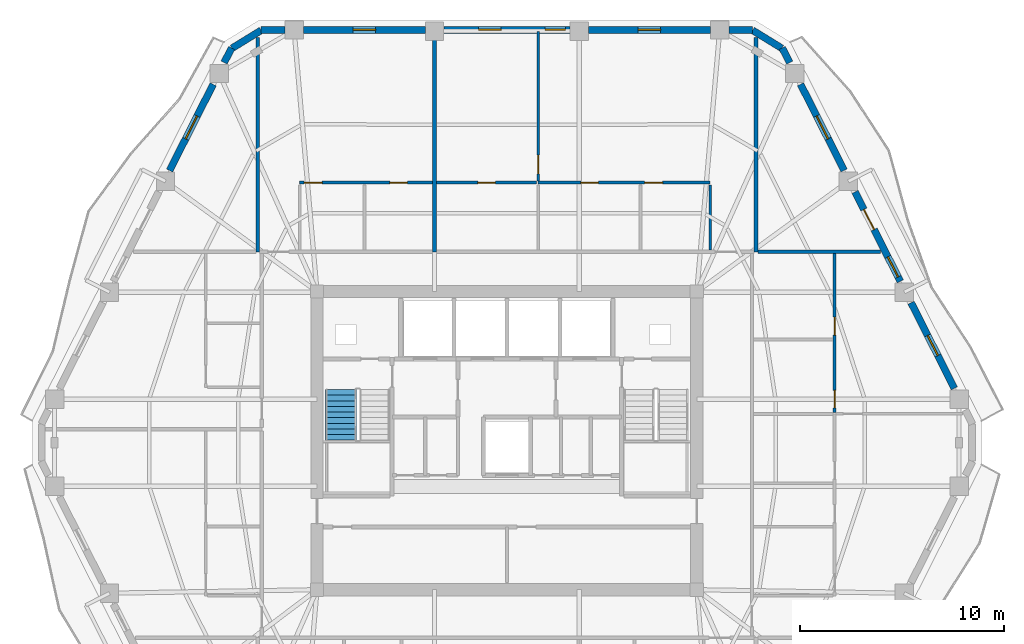
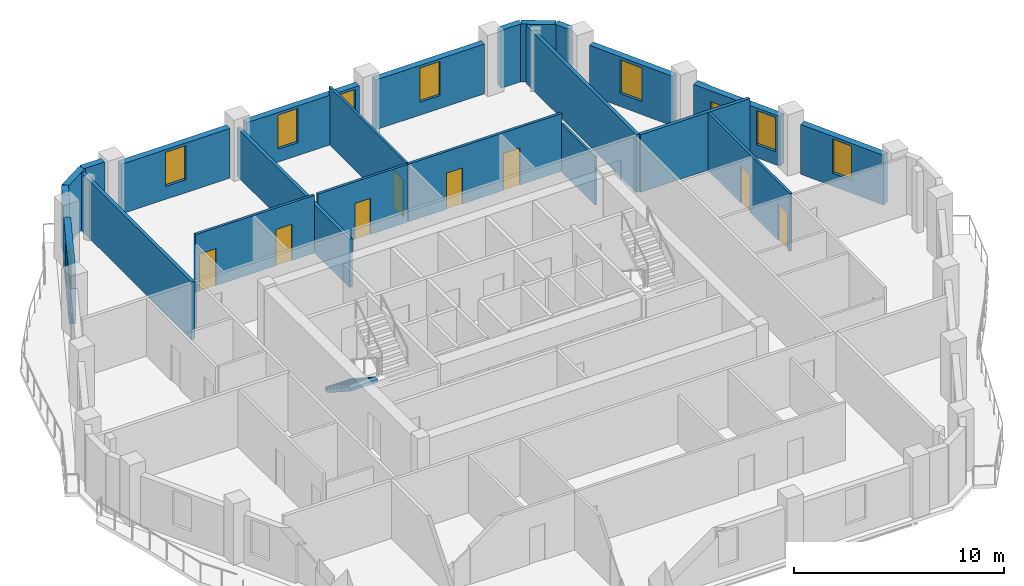
# One storey, part 7 of 12: 23 walls, 9 doors, 8 windows, 1 stair flight, 17 openings, 1 element without a shape of its own.
"""IFC4 building model written with IfcOpenShell, lengths in metres."""

from ifc_helpers import new_model, si_unit, direction, frame, frame_2d, origin, place, context, subcontext, project, spatial, polyline, rectangle, outline, extrude, material, layer, layer_set, type_object, element, fill, aggregate, save


model = new_model("IFC4")

# Units and contexts
model_context = context("Model", 3, precision=1e-05, world=origin(), true_north=direction((0.0, 1.0)))
body_context = subcontext(model_context, "Body", "Model", "MODEL_VIEW")
ifc_project = project(units=[si_unit("LENGTHUNIT", "METRE"), si_unit("AREAUNIT", "SQUARE_METRE"), si_unit("VOLUMEUNIT", "CUBIC_METRE"), si_unit("PLANEANGLEUNIT", "RADIAN"), si_unit("MASSUNIT", "GRAM", prefix="KILO")], contexts=[model_context])

# Site, building, storey
site_placement = place(None, origin())
site = spatial("IfcSite", under=ifc_project, at=site_placement, CompositionType="ELEMENT")
building_placement = place(site_placement, origin())
building = spatial("IfcBuilding", under=site, at=building_placement, Name="Cinnabar Lancet Tower", CompositionType="ELEMENT")
storey_placement = place(building_placement, frame((0.0, 0.0, 193.199951171875)))
storey = spatial("IfcBuildingStorey", under=building, at=storey_placement, Name="L51", CompositionType="ELEMENT", Elevation=193.199951171875)

# Walls
ifc_material_1 = material(Name="Fire-rated twin-frame acoustic drywall", Category="gypsum")
ifc_layer_1 = layer(ifc_material_1, 0.179931640625)
ifc_layer_set_1 = layer_set([ifc_layer_1], Name="Fire-rated twin-frame acoustic drywall")
wall_type_1 = type_object("IfcWallType", Name="ARC-WL-PARTY-180", PredefinedType="PARTITIONING", material=ifc_layer_set_1)
wall_1_placement = place(storey_placement, frame((20.199951171875, 35.14990234375, 0.0), z_axis=(0.0, 0.0, 1.0), x_axis=(0.0, 1.0, 0.0)))
element("IfcWall", 1, at=wall_1_placement, inside=storey, type_object=wall_type_1, Name="PW-L51-NPTY-202", PredefinedType="PARTITIONING", context=body_context, shape_type="SweptSolid", body=[
    extrude(rectangle(XDim=10.482177734375, YDim=0.179931640625, at=frame_2d((5.2412109375, 0.0))), origin(), (0.0, 0.0, 1.0), 3.35009765625),
])
wall_2_placement = place(storey_placement, frame((28.85693359375, 35.14990234375, 0.0), z_axis=(0.0, 0.0, 1.0), x_axis=(0.0, 1.0, 0.0)))
element("IfcWall", 2, at=wall_2_placement, inside=storey, type_object=wall_type_1, Name="PW-L51-NPTY-289", PredefinedType="PARTITIONING", context=body_context, shape_type="SweptSolid", body=[
    extrude(rectangle(XDim=10.695068359375, YDim=0.179931640625, at=frame_2d((5.34765625, 0.0))), origin(), (0.0, 0.0, 1.0), 2.80712890625),
])
wall_3_placement = place(storey_placement, frame((44.60009765625, 35.14990234375, 0.0), z_axis=(0.0, 0.0, 1.0), x_axis=(0.0, 1.0, 0.0)))
element("IfcWall", 3, at=wall_3_placement, inside=storey, type_object=wall_type_1, Name="PW-L51-NPTY-446", PredefinedType="PARTITIONING", context=body_context, shape_type="SweptSolid", body=[
    extrude(rectangle(XDim=10.482177734375, YDim=0.179931640625, at=frame_2d((5.2412109375, 0.0))), origin(), (0.0, 0.0, 1.0), 3.35009765625),
])
wall_4_placement = place(storey_placement, frame((44.695068359375, 35.14990234375, 0.0), z_axis=(0.0, 0.0, 1.0), x_axis=(1.0, 0.0, 0.0)))
element("IfcWall", 4, at=wall_4_placement, inside=storey, type_object=wall_type_1, Name="PW-L51-ENB", PredefinedType="PARTITIONING", context=body_context, shape_type="SweptSolid", body=[
    extrude(rectangle(XDim=5.994873046875, YDim=0.179931640625, at=frame_2d((2.99755859375, 0.0))), origin(), (0.0, 0.0, 1.0), 3.35009765625),
])
ifc_material_2 = material(Name="Gypsum plasterboard stud partition", Category="gypsum")
ifc_layer_2 = layer(ifc_material_2, 0.125)
ifc_layer_set_2 = layer_set([ifc_layer_2], Name="Gypsum plasterboard stud partition")
wall_type_2 = type_object("IfcWallType", Name="ARC-WL-UNIT-125", PredefinedType="PARTITIONING", material=ifc_layer_set_2)
wall_5_placement = place(storey_placement, frame((42.35009765625, 35.235107421875, 0.0), z_axis=(0.0, 0.0, 1.0), x_axis=(0.0, 1.0, 0.0)))
element("IfcWall", 5, at=wall_5_placement, inside=storey, type_object=wall_type_2, Name="UW-L51-N02-FOYW", PredefinedType="PARTITIONING", context=body_context, shape_type="SweptSolid", body=[
    extrude(rectangle(XDim=3.19384765625, YDim=0.125, at=frame_2d((1.596923828125, 0.0))), origin(), (0.0, 0.0, 1.0), 2.80712890625),
])

# Wall, opening, door
wall_6_placement = place(storey_placement, frame((33.93310546875, 38.60888671875, 0.0), z_axis=(0.0, 0.0, 1.0), x_axis=(0.0, 1.0, 0.0)))
wall_6 = element("IfcWall", 6, at=wall_6_placement, inside=storey, type_object=wall_type_2, Name="UW-L51-N02-MBW", PredefinedType="PARTITIONING", context=body_context, shape_type="SweptSolid", body=[
    extrude(rectangle(XDim=7.326171875, YDim=0.125, at=frame_2d((3.6630859375, 0.0))), origin(), (0.0, 0.0, 1.0), 3.35009765625),
])
opening_1_placement = place(wall_6_placement, frame((0.35009765625, 0.0, 0.0)))
opening_1 = element("IfcOpeningElement", 7, at=opening_1_placement, cuts=wall_6, Name="Opening RD-01", PredefinedType="OPENING", context=body_context, shape_type="SweptSolid", body=[
    extrude(rectangle(XDim=0.919921875, YDim=2.14990234375, at=frame_2d((0.4599609375, 1.074951171875))), frame((0.0, 0.072509765625, 0.0), z_axis=(0.0, -1.0, 0.0), x_axis=(1.0, 0.0, 0.0)), (0.0, 0.0, 1.0), 0.14501953125),
])
ifc_material_3 = material(Name="Engineered timber bedroom door", Category="wood")
door_type_1 = type_object("IfcDoorType", Name="ARC-DR-ROOM", OperationType="NOTDEFINED", PredefinedType="DOOR", material=ifc_material_3)
door_1_placement = place(opening_1_placement, origin())
door_1 = element("IfcDoor", 8, at=door_1_placement, inside=storey, type_object=door_type_1, Name="DR-L51-N02-MBD", OperationType="SINGLE_SWING_LEFT", OverallHeight=2.14990234375, OverallWidth=0.919921875, PredefinedType="DOOR", context=body_context, shape_type="SweptSolid", body=[
    extrude(rectangle(XDim=0.919921875, YDim=2.14990234375, at=frame_2d((0.4599609375, 1.074951171875))), frame((0.0, 0.02490234375, 0.0), z_axis=(0.0, -1.0, 0.0), x_axis=(1.0, 0.0, 0.0)), (0.0, 0.0, 1.0), 0.050048828125),
])
fill(opening_1, door_1)

# Wall, openings, doors
ifc_material_4 = material(Name="Moisture-resistant cement-board plumbing wall", Category="masonry")
ifc_layer_3 = layer(ifc_material_4, 0.139892578125)
ifc_layer_set_3 = layer_set([ifc_layer_3], Name="Moisture-resistant cement-board plumbing wall")
wall_type_3 = type_object("IfcWallType", Name="ARC-WL-WET-140", PredefinedType="PLUMBINGWALL", material=ifc_layer_set_3)
wall_7_placement = place(storey_placement, frame((22.25, 38.533935546875, 0.0), z_axis=(0.0, 0.0, 1.0), x_axis=(1.0, 0.0, 0.0)))
wall_7 = element("IfcWall", 9, at=wall_7_placement, inside=storey, type_object=wall_type_3, Name="UW-L51-N01-SPL", PredefinedType="PLUMBINGWALL", context=body_context, shape_type="SweptSolid", body=[
    extrude(rectangle(XDim=6.511962890625, YDim=0.139892578125, at=frame_2d((3.255859375, 0.0))), origin(), (0.0, 0.0, 1.0), 3.35009765625),
])
opening_2_placement = place(wall_7_placement, frame((4.4169921875, 0.0, 0.0)))
opening_2 = element("IfcOpeningElement", 10, at=opening_2_placement, cuts=wall_7, Name="Opening BD-01", PredefinedType="OPENING", context=body_context, shape_type="SweptSolid", body=[
    extrude(rectangle(XDim=0.860107421875, YDim=2.10009765625, at=frame_2d((0.43017578125, 1.050048828125))), frame((0.0, 0.079833984375, 0.0), z_axis=(0.0, -1.0, 0.0), x_axis=(1.0, 0.0, 0.0)), (0.0, 0.0, 1.0), 0.159912109375),
])
opening_3_placement = place(wall_7_placement, frame((0.219970703125, 0.0, 0.0)))
opening_3 = element("IfcOpeningElement", 11, at=opening_3_placement, cuts=wall_7, Name="Opening RD-02", PredefinedType="OPENING", context=body_context, shape_type="SweptSolid", body=[
    extrude(rectangle(XDim=0.8798828125, YDim=2.14990234375, at=frame_2d((0.43994140625, 1.074951171875))), frame((0.0, 0.079833984375, 0.0), z_axis=(0.0, -1.0, 0.0), x_axis=(1.0, 0.0, 0.0)), (0.0, 0.0, 1.0), 0.159912109375),
])
ifc_material_5 = material(Name="Moisture-resistant timber bathroom door", Category="wood")
door_type_2 = type_object("IfcDoorType", Name="ARC-DR-BATH", OperationType="NOTDEFINED", PredefinedType="DOOR", material=ifc_material_5)
door_2_placement = place(opening_2_placement, origin())
door_2 = element("IfcDoor", 12, at=door_2_placement, inside=storey, type_object=door_type_2, Name="DR-L51-N01-BTH", OperationType="SINGLE_SWING_LEFT", OverallHeight=2.10009765625, OverallWidth=0.860107421875, PredefinedType="DOOR", context=body_context, shape_type="SweptSolid", body=[
    extrude(rectangle(XDim=0.860107421875, YDim=2.10009765625, at=frame_2d((0.43017578125, 1.050048828125))), frame((0.0, 0.02490234375, 0.0), z_axis=(0.0, -1.0, 0.0), x_axis=(1.0, 0.0, 0.0)), (0.0, 0.0, 1.0), 0.050048828125),
])
fill(opening_2, door_2)
ifc_material_6 = material(Name="Engineered timber study door", Category="wood")
door_type_3 = type_object("IfcDoorType", Name="ARC-DR-STUDY", OperationType="NOTDEFINED", PredefinedType="DOOR", material=ifc_material_6)
door_3_placement = place(opening_3_placement, origin())
door_3 = element("IfcDoor", 13, at=door_3_placement, inside=storey, type_object=door_type_3, Name="DR-L51-N01-KIT", OperationType="SINGLE_SWING_RIGHT", OverallHeight=2.14990234375, OverallWidth=0.8798828125, PredefinedType="DOOR", context=body_context, shape_type="SweptSolid", body=[
    extrude(rectangle(XDim=0.8798828125, YDim=2.14990234375, at=frame_2d((0.43994140625, 1.074951171875))), frame((0.0, 0.02490234375, 0.0), z_axis=(0.0, -1.0, 0.0), x_axis=(1.0, 0.0, 0.0)), (0.0, 0.0, 1.0), 0.050048828125),
])
fill(opening_3, door_3)

wall_8_placement = place(storey_placement, frame((33.93310546875, 38.533935546875, 0.0), z_axis=(0.0, 0.0, 1.0), x_axis=(1.0, 0.0, 0.0)))
wall_8 = element("IfcWall", 14, at=wall_8_placement, inside=storey, type_object=wall_type_3, Name="UW-L51-N02-SPL", PredefinedType="PLUMBINGWALL", context=body_context, shape_type="SweptSolid", body=[
    extrude(rectangle(XDim=8.4169921875, YDim=0.139892578125, at=frame_2d((4.20849609375, 0.0))), origin(), (0.0, 0.0, 1.0), 3.35009765625),
])
opening_4_placement = place(wall_8_placement, frame((2.083984375, 0.0, 0.0)))
opening_4 = element("IfcOpeningElement", 15, at=opening_4_placement, cuts=wall_8, Name="Opening BD-01", PredefinedType="OPENING", context=body_context, shape_type="SweptSolid", body=[
    extrude(rectangle(XDim=0.860107421875, YDim=2.10009765625, at=frame_2d((0.43017578125, 1.050048828125))), frame((0.0, 0.079833984375, 0.0), z_axis=(0.0, -1.0, 0.0), x_axis=(1.0, 0.0, 0.0)), (0.0, 0.0, 1.0), 0.159912109375),
])
opening_5_placement = place(wall_8_placement, frame((5.217041015625, 0.0, 0.0)))
opening_5 = element("IfcOpeningElement", 16, at=opening_5_placement, cuts=wall_8, Name="Opening RD-02", PredefinedType="OPENING", context=body_context, shape_type="SweptSolid", body=[
    extrude(rectangle(XDim=0.8798828125, YDim=2.14990234375, at=frame_2d((0.43994140625, 1.074951171875))), frame((0.0, 0.079833984375, 0.0), z_axis=(0.0, -1.0, 0.0), x_axis=(1.0, 0.0, 0.0)), (0.0, 0.0, 1.0), 0.159912109375),
])
door_4_placement = place(opening_4_placement, origin())
door_4 = element("IfcDoor", 17, at=door_4_placement, inside=storey, type_object=door_type_2, Name="DR-L51-N02-BTH", OperationType="SINGLE_SWING_LEFT", OverallHeight=2.10009765625, OverallWidth=0.860107421875, PredefinedType="DOOR", context=body_context, shape_type="SweptSolid", body=[
    extrude(rectangle(XDim=0.860107421875, YDim=2.10009765625, at=frame_2d((0.43017578125, 1.050048828125))), frame((0.0, 0.02490234375, 0.0), z_axis=(0.0, -1.0, 0.0), x_axis=(1.0, 0.0, 0.0)), (0.0, 0.0, 1.0), 0.050048828125),
])
fill(opening_4, door_4)
door_5_placement = place(opening_5_placement, origin())
door_5 = element("IfcDoor", 18, at=door_5_placement, inside=storey, type_object=door_type_3, Name="DR-L51-N02-KIT", OperationType="SINGLE_SWING_RIGHT", OverallHeight=2.14990234375, OverallWidth=0.8798828125, PredefinedType="DOOR", context=body_context, shape_type="SweptSolid", body=[
    extrude(rectangle(XDim=0.8798828125, YDim=2.14990234375, at=frame_2d((0.43994140625, 1.074951171875))), frame((0.0, 0.02490234375, 0.0), z_axis=(0.0, -1.0, 0.0), x_axis=(1.0, 0.0, 0.0)), (0.0, 0.0, 1.0), 0.050048828125),
])
fill(opening_5, door_5)

# Wall, opening, door
wall_9_placement = place(storey_placement, frame((28.951904296875, 38.533935546875, 0.0), z_axis=(0.0, 0.0, 1.0), x_axis=(1.0, 0.0, 0.0)))
wall_9 = element("IfcWall", 19, at=wall_9_placement, inside=storey, type_object=wall_type_3, Name="UW-L51-N02-SPM", PredefinedType="PLUMBINGWALL", context=body_context, shape_type="SweptSolid", body=[
    extrude(rectangle(XDim=4.906005859375, YDim=0.139892578125, at=frame_2d((2.453125, 0.0))), origin(), (0.0, 0.0, 1.0), 3.35009765625),
])
opening_6_placement = place(wall_9_placement, frame((2.028076171875, 0.0, 0.0)))
opening_6 = element("IfcOpeningElement", 20, at=opening_6_placement, cuts=wall_9, Name="Opening BD-01", PredefinedType="OPENING", context=body_context, shape_type="SweptSolid", body=[
    extrude(rectangle(XDim=0.860107421875, YDim=2.10009765625, at=frame_2d((0.43017578125, 1.050048828125))), frame((0.0, 0.079833984375, 0.0), z_axis=(0.0, -1.0, 0.0), x_axis=(1.0, 0.0, 0.0)), (0.0, 0.0, 1.0), 0.159912109375),
])
door_6_placement = place(opening_6_placement, origin())
door_6 = element("IfcDoor", 21, at=door_6_placement, inside=storey, type_object=door_type_2, Name="DR-L51-N02-ENS", OperationType="SINGLE_SWING_RIGHT", OverallHeight=2.10009765625, OverallWidth=0.860107421875, PredefinedType="DOOR", context=body_context, shape_type="SweptSolid", body=[
    extrude(rectangle(XDim=0.860107421875, YDim=2.10009765625, at=frame_2d((0.43017578125, 1.050048828125))), frame((0.0, 0.02490234375, 0.0), z_axis=(0.0, -1.0, 0.0), x_axis=(1.0, 0.0, 0.0)), (0.0, 0.0, 1.0), 0.050048828125),
])
fill(opening_6, door_6)

# Wall, openings, doors
wall_10_placement = place(storey_placement, frame((48.449951171875, 27.281982421875, 0.0), z_axis=(0.0, 0.0, 1.0), x_axis=(0.0, 1.0, 0.0)))
wall_10 = element("IfcWall", 22, at=wall_10_placement, inside=storey, type_object=wall_type_3, Name="UW-L51-E01-SPM", PredefinedType="PLUMBINGWALL", context=body_context, shape_type="SweptSolid", body=[
    extrude(rectangle(XDim=7.77294921875, YDim=0.139892578125, at=frame_2d((3.886474609375, 0.0))), origin(), (0.0, 0.0, 1.0), 3.35009765625),
])
opening_7_placement = place(wall_10_placement, frame((0.219970703125, 0.0, 0.0)))
opening_7 = element("IfcOpeningElement", 23, at=opening_7_placement, cuts=wall_10, Name="Opening BD-01", PredefinedType="OPENING", context=body_context, shape_type="SweptSolid", body=[
    extrude(rectangle(XDim=0.860107421875, YDim=2.10009765625, at=frame_2d((0.43017578125, 1.050048828125))), frame((0.0, 0.079833984375, 0.0), z_axis=(0.0, -1.0, 0.0), x_axis=(1.0, 0.0, 0.0)), (0.0, 0.0, 1.0), 0.159912109375),
])
opening_8_placement = place(wall_10_placement, frame((3.785888671875, 0.0, 0.0)))
opening_8 = element("IfcOpeningElement", 24, at=opening_8_placement, cuts=wall_10, Name="Opening RD-02", PredefinedType="OPENING", context=body_context, shape_type="SweptSolid", body=[
    extrude(rectangle(XDim=0.8798828125, YDim=2.14990234375, at=frame_2d((0.43994140625, 1.074951171875))), frame((0.0, 0.079833984375, 0.0), z_axis=(0.0, -1.0, 0.0), x_axis=(1.0, 0.0, 0.0)), (0.0, 0.0, 1.0), 0.159912109375),
])
door_7_placement = place(opening_7_placement, origin())
door_7 = element("IfcDoor", 25, at=door_7_placement, inside=storey, type_object=door_type_2, Name="DR-L51-E01-ENS", OperationType="SINGLE_SWING_LEFT", OverallHeight=2.10009765625, OverallWidth=0.860107421875, PredefinedType="DOOR", context=body_context, shape_type="SweptSolid", body=[
    extrude(rectangle(XDim=0.860107421875, YDim=2.10009765625, at=frame_2d((0.43017578125, 1.050048828125))), frame((0.0, 0.02490234375, 0.0), z_axis=(0.0, -1.0, 0.0), x_axis=(1.0, 0.0, 0.0)), (0.0, 0.0, 1.0), 0.050048828125),
])
fill(opening_7, door_7)
door_8_placement = place(opening_8_placement, origin())
door_8 = element("IfcDoor", 26, at=door_8_placement, inside=storey, type_object=door_type_3, Name="DR-L51-E01-EWDR", OperationType="SINGLE_SWING_RIGHT", OverallHeight=2.14990234375, OverallWidth=0.8798828125, PredefinedType="DOOR", context=body_context, shape_type="SweptSolid", body=[
    extrude(rectangle(XDim=0.8798828125, YDim=2.14990234375, at=frame_2d((0.43994140625, 1.074951171875))), frame((0.0, 0.02490234375, 0.0), z_axis=(0.0, -1.0, 0.0), x_axis=(1.0, 0.0, 0.0)), (0.0, 0.0, 1.0), 0.050048828125),
])
fill(opening_8, door_8)

# Walls
ifc_material_7 = material(Name="Cinnabar red clay brick", Category="masonry")
ifc_layer_4 = layer(ifc_material_7, 0.340087890625)
ifc_layer_set_4 = layer_set([ifc_layer_4], Name="Cinnabar red clay brick")
wall_type_4 = type_object("IfcWallType", Name="ENV-WL-BRK-RED-340", PredefinedType="STANDARD", material=ifc_layer_set_4)
for number, where, z_axis, x_axis, name in (
    (27, (45.862060546875, 45.115966796875, 0.0), (0.0, 0.0, 1.0), (-0.851713271379, 0.524008113828, 0.0), "L51 Chamfered Corner Brick Pier 4.1"),
    (28, (20.366943359375, 45.9951171875, 0.0), (0.0, 0.0, 1.0), (-0.851713271379, -0.524008113828, 0.0), "L51 Chamfered Corner Brick Pier 5.1"),
):
    element("IfcWall", number, at=place(storey_placement, frame(where, z_axis=z_axis, x_axis=x_axis)), inside=storey, type_object=wall_type_4, Name=name, PredefinedType="STANDARD", context=body_context, shape_type="SweptSolid", body=[
        extrude(rectangle(XDim=1.677734375, YDim=0.340087890625, at=frame_2d((0.8388671875, 0.0))), origin(), (0.0, 0.0, 1.0), 3.35009765625),
    ])

# Wall, opening, window
wall_11_placement = place(storey_placement, frame((54.31494140625, 28.462890625, 0.0), z_axis=(0.0, 0.0, 1.0), x_axis=(-0.451426298588, 0.892308409096, 0.0)))
wall_11 = element("IfcWall", 29, at=wall_11_placement, inside=storey, type_object=wall_type_4, Name="L51 Face 3 Masonry Bay Wall 2", PredefinedType="STANDARD", context=body_context, shape_type="SweptSolid", body=[
    extrude(rectangle(XDim=4.7001953125, YDim=0.340087890625, at=frame_2d((2.35009765625, 0.0))), origin(), (0.0, 0.0, 1.0), 2.883056640625),
])
opening_9_placement = place(wall_11_placement, frame((1.800048828125, 0.0, 0.75)))
opening_9 = element("IfcOpeningElement", 30, at=opening_9_placement, cuts=wall_11, Name="Opening WN-04", PredefinedType="OPENING", context=body_context, shape_type="SweptSolid", body=[
    extrude(rectangle(XDim=1.10009765625, YDim=1.98291015625, at=frame_2d((0.550048828125, 0.991455078125))), frame((0.0, 0.179931640625, 0.0), z_axis=(0.0, -1.0, 0.0), x_axis=(1.0, 0.0, 0.0)), (0.0, 0.0, 1.0), 0.360107421875),
])
ifc_material_8 = material(Name="Thermally broken bronze-anodized aluminium tall lancet window", Category="aluminium")
window_type_1 = type_object("IfcWindowType", Name="ENV-WN-LANCET-1100", PartitioningType="SINGLE_PANEL", PredefinedType="WINDOW", material=ifc_material_8)
window_1_placement = place(opening_9_placement, origin())
window_1 = element("IfcWindow", 31, at=window_1_placement, inside=storey, type_object=window_type_1, Name="L51 Face 3 Gothic Lancet Window 2", OverallHeight=1.98291015625, OverallWidth=1.10009765625, PartitioningType="SINGLE_PANEL", PredefinedType="WINDOW", context=body_context, shape_type="SweptSolid", body=[
    extrude(rectangle(XDim=1.10009765625, YDim=1.98291015625, at=frame_2d((0.550048828125, 0.991455078125))), frame((0.0, 0.030029296875, 0.0), z_axis=(0.0, -1.0, 0.0), x_axis=(1.0, 0.0, 0.0)), (0.0, 0.0, 1.0), 0.06005859375),
])
fill(opening_9, window_1)

# Wall, openings, door, window
wall_12_placement = place(storey_placement, frame((51.6650390625, 33.701904296875, 0.0), z_axis=(0.0, 0.0, 1.0), x_axis=(-0.451524246964, 0.89225884944, 0.0)))
wall_12 = element("IfcWall", 32, at=wall_12_placement, inside=storey, type_object=wall_type_4, Name="L51 Face 3 Masonry Bay Wall 3", PredefinedType="STANDARD", context=body_context, shape_type="SweptSolid", body=[
    extrude(rectangle(XDim=4.91015625, YDim=0.340087890625, at=frame_2d((2.455078125, 0.0))), origin(), (0.0, 0.0, 1.0), 2.883056640625),
])
opening_10_placement = place(wall_12_placement, frame((2.842041015625, 0.0, 0.0)))
opening_10 = element("IfcOpeningElement", 33, at=opening_10_placement, cuts=wall_12, Name="Opening TD-01", PredefinedType="OPENING", context=body_context, shape_type="SweptSolid", body=[
    extrude(rectangle(XDim=1.10009765625, YDim=2.25, at=frame_2d((0.550048828125, 1.125))), frame((0.0, 0.179931640625, 0.0), z_axis=(0.0, -1.0, 0.0), x_axis=(1.0, 0.0, 0.0)), (0.0, 0.0, 1.0), 0.360107421875),
])
opening_11_placement = place(wall_12_placement, frame((0.240966796875, 0.0, 0.75)))
opening_11 = element("IfcOpeningElement", 34, at=opening_11_placement, cuts=wall_12, Name="Opening WN-04", PredefinedType="OPENING", context=body_context, shape_type="SweptSolid", body=[
    extrude(rectangle(XDim=1.10009765625, YDim=1.98291015625, at=frame_2d((0.550048828125, 0.991455078125))), frame((0.0, 0.179931640625, 0.0), z_axis=(0.0, -1.0, 0.0), x_axis=(1.0, 0.0, 0.0)), (0.0, 0.0, 1.0), 0.360107421875),
])
ifc_material_9 = material(Name="Thermally broken low-E glazed balcony terrace door", Category="wood")
door_type_4 = type_object("IfcDoorType", Name="ARC-DR-BALC", OperationType="NOTDEFINED", PredefinedType="DOOR", material=ifc_material_9)
door_9_placement = place(opening_10_placement, origin())
door_9 = element("IfcDoor", 35, at=door_9_placement, inside=storey, type_object=door_type_4, Name="L51 Face 3 Glazed Terrace Door", OperationType="SINGLE_SWING_RIGHT", OverallHeight=2.25, OverallWidth=1.10009765625, PredefinedType="DOOR", context=body_context, shape_type="SweptSolid", body=[
    extrude(rectangle(XDim=1.10009765625, YDim=2.25, at=frame_2d((0.550048828125, 1.125))), frame((0.0, 0.02490234375, 0.0), z_axis=(0.0, -1.0, 0.0), x_axis=(1.0, 0.0, 0.0)), (0.0, 0.0, 1.0), 0.050048828125),
])
fill(opening_10, door_9)
window_2_placement = place(opening_11_placement, origin())
window_2 = element("IfcWindow", 36, at=window_2_placement, inside=storey, type_object=window_type_1, Name="L51 Split-Bay Gothic Lancet Window 168", OverallHeight=1.98291015625, OverallWidth=1.10009765625, PartitioningType="SINGLE_PANEL", PredefinedType="WINDOW", context=body_context, shape_type="SweptSolid", body=[
    extrude(rectangle(XDim=1.10009765625, YDim=1.98291015625, at=frame_2d((0.550048828125, 0.991455078125))), frame((0.0, 0.030029296875, 0.0), z_axis=(0.0, -1.0, 0.0), x_axis=(1.0, 0.0, 0.0)), (0.0, 0.0, 1.0), 0.06005859375),
])
fill(opening_11, window_2)

# Wall, opening, window
wall_13_placement = place(storey_placement, frame((48.9189453125, 39.1298828125, 0.0), z_axis=(0.0, 0.0, 1.0), x_axis=(-0.45150207307, 0.892270070109, 0.0)))
wall_13 = element("IfcWall", 37, at=wall_13_placement, inside=storey, type_object=wall_type_4, Name="L51 Face 3 Masonry Bay Wall 4", PredefinedType="STANDARD", context=body_context, shape_type="SweptSolid", body=[
    extrude(rectangle(XDim=4.73095703125, YDim=0.340087890625, at=frame_2d((2.365478515625, 0.0))), origin(), (0.0, 0.0, 1.0), 2.883056640625),
])
opening_12_placement = place(wall_13_placement, frame((1.739990234375, 0.0, 0.75)))
opening_12 = element("IfcOpeningElement", 38, at=opening_12_placement, cuts=wall_13, Name="Opening WN-03", PredefinedType="OPENING", context=body_context, shape_type="SweptSolid", body=[
    extrude(rectangle(XDim=1.25, YDim=1.949951171875, at=frame_2d((0.625, 0.97509765625))), frame((0.0, 0.179931640625, 0.0), z_axis=(0.0, -1.0, 0.0), x_axis=(1.0, 0.0, 0.0)), (0.0, 0.0, 1.0), 0.360107421875),
])
ifc_material_10 = material(Name="Thermally broken bronze-anodized aluminium low-E double glazing", Category="aluminium")
window_type_2 = type_object("IfcWindowType", Name="ENV-WN-LANCET-1250", PartitioningType="SINGLE_PANEL", PredefinedType="WINDOW", material=ifc_material_10)
window_3_placement = place(opening_12_placement, origin())
window_3 = element("IfcWindow", 39, at=window_3_placement, inside=storey, type_object=window_type_2, Name="L51 Face 3 Gothic Lancet Window 4", OverallHeight=1.949951171875, OverallWidth=1.25, PartitioningType="SINGLE_PANEL", PredefinedType="WINDOW", context=body_context, shape_type="SweptSolid", body=[
    extrude(rectangle(XDim=1.25, YDim=1.949951171875, at=frame_2d((0.625, 0.97509765625))), frame((0.0, 0.030029296875, 0.0), z_axis=(0.0, -1.0, 0.0), x_axis=(1.0, 0.0, 0.0)), (0.0, 0.0, 1.0), 0.06005859375),
])
fill(opening_12, window_3)

# Walls
wall_14_placement = place(storey_placement, frame((46.24609375, 44.4130859375, 0.0), z_axis=(0.0, 0.0, 1.0), x_axis=(-0.451691568309, 0.892174157392, 0.0)))
element("IfcWall", 40, at=wall_14_placement, inside=storey, type_object=wall_type_4, Name="L51 Face 3 Masonry Bay Wall 5", PredefinedType="STANDARD", context=body_context, shape_type="SweptSolid", body=[
    extrude(rectangle(XDim=0.805908203125, YDim=0.340087890625, at=frame_2d((0.40283203125, 0.0))), origin(), (0.0, 0.0, 1.0), 3.35009765625),
])
wall_15_placement = place(storey_placement, frame((44.43798828125, 46.02001953125, 0.0), z_axis=(0.0, 0.0, 1.0), x_axis=(-1.0, 0.0, 0.0)))
element("IfcWall", 41, at=wall_15_placement, inside=storey, type_object=wall_type_4, Name="L51 Face 4 Masonry Bay Wall 1", PredefinedType="STANDARD", context=body_context, shape_type="SweptSolid", body=[
    extrude(rectangle(XDim=1.1630859375, YDim=0.340087890625, at=frame_2d((0.58154296875, 0.0))), origin(), (0.0, 0.0, 1.0), 3.35009765625),
])

# Wall, opening, window
wall_16_placement = place(storey_placement, frame((42.366943359375, 46.02001953125, 0.0), z_axis=(0.0, 0.0, 1.0), x_axis=(-1.0, 0.0, 0.0)))
wall_16 = element("IfcWall", 42, at=wall_16_placement, inside=storey, type_object=wall_type_4, Name="L51 Face 4 Masonry Bay Wall 2", PredefinedType="STANDARD", context=body_context, shape_type="SweptSolid", body=[
    extrude(rectangle(XDim=5.969970703125, YDim=0.340087890625, at=frame_2d((2.98486328125, 0.0))), origin(), (0.0, 0.0, 1.0), 2.883056640625),
])
opening_13_placement = place(wall_16_placement, frame((2.43505859375, 0.0, 0.75)))
opening_13 = element("IfcOpeningElement", 43, at=opening_13_placement, cuts=wall_16, Name="Opening WN-04", PredefinedType="OPENING", context=body_context, shape_type="SweptSolid", body=[
    extrude(rectangle(XDim=1.10009765625, YDim=1.98291015625, at=frame_2d((0.550048828125, 0.991455078125))), frame((0.0, 0.179931640625, 0.0), z_axis=(0.0, -1.0, 0.0), x_axis=(1.0, 0.0, 0.0)), (0.0, 0.0, 1.0), 0.360107421875),
])
window_4_placement = place(opening_13_placement, origin())
window_4 = element("IfcWindow", 44, at=window_4_placement, inside=storey, type_object=window_type_1, Name="L51 Face 4 Gothic Lancet Window 2", OverallHeight=1.98291015625, OverallWidth=1.10009765625, PartitioningType="SINGLE_PANEL", PredefinedType="WINDOW", context=body_context, shape_type="SweptSolid", body=[
    extrude(rectangle(XDim=1.10009765625, YDim=1.98291015625, at=frame_2d((0.550048828125, 0.991455078125))), frame((0.0, 0.030029296875, 0.0), z_axis=(0.0, -1.0, 0.0), x_axis=(1.0, 0.0, 0.0)), (0.0, 0.0, 1.0), 0.06005859375),
])
fill(opening_13, window_4)

# Wall, openings, windows
wall_17_placement = place(storey_placement, frame((35.489013671875, 46.02001953125, 0.0), z_axis=(0.0, 0.0, 1.0), x_axis=(-1.0, 0.0, 0.0)))
wall_17 = element("IfcWall", 45, at=wall_17_placement, inside=storey, type_object=wall_type_4, Name="L51 Face 4 Masonry Bay Wall 3", PredefinedType="STANDARD", context=body_context, shape_type="SweptSolid", body=[
    extrude(rectangle(XDim=6.177978515625, YDim=0.340087890625, at=frame_2d((3.0888671875, 0.0))), origin(), (0.0, 0.0, 1.0), 2.883056640625),
])
opening_14_placement = place(wall_17_placement, frame((0.219970703125, 0.0, 0.75)))
opening_14 = element("IfcOpeningElement", 46, at=opening_14_placement, cuts=wall_17, Name="Opening WN-04", PredefinedType="OPENING", context=body_context, shape_type="SweptSolid", body=[
    extrude(rectangle(XDim=1.0029296875, YDim=1.98291015625, at=frame_2d((0.50146484375, 0.991455078125))), frame((0.0, 0.179931640625, 0.0), z_axis=(0.0, -1.0, 0.0), x_axis=(1.0, 0.0, 0.0)), (0.0, 0.0, 1.0), 0.360107421875),
])
opening_15_placement = place(wall_17_placement, frame((3.373046875, 0.0, 0.75)))
opening_15 = element("IfcOpeningElement", 47, at=opening_15_placement, cuts=wall_17, Name="Opening WN-04", PredefinedType="OPENING", context=body_context, shape_type="SweptSolid", body=[
    extrude(rectangle(XDim=1.10009765625, YDim=1.98291015625, at=frame_2d((0.550048828125, 0.991455078125))), frame((0.0, 0.179931640625, 0.0), z_axis=(0.0, -1.0, 0.0), x_axis=(1.0, 0.0, 0.0)), (0.0, 0.0, 1.0), 0.360107421875),
])
window_5_placement = place(opening_14_placement, origin())
window_5 = element("IfcWindow", 48, at=window_5_placement, inside=storey, type_object=window_type_1, Name="L51 Face 4 Gothic Lancet Window 3", OverallHeight=1.98291015625, OverallWidth=1.0029296875, PartitioningType="SINGLE_PANEL", PredefinedType="WINDOW", context=body_context, shape_type="SweptSolid", body=[
    extrude(rectangle(XDim=1.0029296875, YDim=1.98291015625, at=frame_2d((0.50146484375, 0.991455078125))), frame((0.0, 0.030029296875, 0.0), z_axis=(0.0, -1.0, 0.0), x_axis=(1.0, 0.0, 0.0)), (0.0, 0.0, 1.0), 0.06005859375),
])
fill(opening_14, window_5)
window_6_placement = place(opening_15_placement, origin())
window_6 = element("IfcWindow", 49, at=window_6_placement, inside=storey, type_object=window_type_1, Name="L51 Split-Bay Gothic Lancet Window 169", OverallHeight=1.98291015625, OverallWidth=1.10009765625, PartitioningType="SINGLE_PANEL", PredefinedType="WINDOW", context=body_context, shape_type="SweptSolid", body=[
    extrude(rectangle(XDim=1.10009765625, YDim=1.98291015625, at=frame_2d((0.550048828125, 0.991455078125))), frame((0.0, 0.030029296875, 0.0), z_axis=(0.0, -1.0, 0.0), x_axis=(1.0, 0.0, 0.0)), (0.0, 0.0, 1.0), 0.06005859375),
])
fill(opening_15, window_6)

# Wall, opening, window
wall_18_placement = place(storey_placement, frame((28.403076171875, 46.02001953125, 0.0), z_axis=(0.0, 0.0, 1.0), x_axis=(-1.0, 0.0, 0.0)))
wall_18 = element("IfcWall", 50, at=wall_18_placement, inside=storey, type_object=wall_type_4, Name="L51 Face 4 Masonry Bay Wall 4", PredefinedType="STANDARD", context=body_context, shape_type="SweptSolid", body=[
    extrude(rectangle(XDim=5.969970703125, YDim=0.340087890625, at=frame_2d((2.98486328125, 0.0))), origin(), (0.0, 0.0, 1.0), 2.883056640625),
])
opening_16_placement = place(wall_18_placement, frame((2.43505859375, 0.0, 0.75)))
opening_16 = element("IfcOpeningElement", 51, at=opening_16_placement, cuts=wall_18, Name="Opening WN-04", PredefinedType="OPENING", context=body_context, shape_type="SweptSolid", body=[
    extrude(rectangle(XDim=1.10009765625, YDim=1.98291015625, at=frame_2d((0.550048828125, 0.991455078125))), frame((0.0, 0.179931640625, 0.0), z_axis=(0.0, -1.0, 0.0), x_axis=(1.0, 0.0, 0.0)), (0.0, 0.0, 1.0), 0.360107421875),
])
window_7_placement = place(opening_16_placement, origin())
window_7 = element("IfcWindow", 52, at=window_7_placement, inside=storey, type_object=window_type_1, Name="L51 Face 4 Gothic Lancet Window 4", OverallHeight=1.98291015625, OverallWidth=1.10009765625, PartitioningType="SINGLE_PANEL", PredefinedType="WINDOW", context=body_context, shape_type="SweptSolid", body=[
    extrude(rectangle(XDim=1.10009765625, YDim=1.98291015625, at=frame_2d((0.550048828125, 0.991455078125))), frame((0.0, 0.030029296875, 0.0), z_axis=(0.0, -1.0, 0.0), x_axis=(1.0, 0.0, 0.0)), (0.0, 0.0, 1.0), 0.06005859375),
])
fill(opening_16, window_7)

# Walls
wall_19_placement = place(storey_placement, frame((21.52490234375, 46.02001953125, 0.0), z_axis=(0.0, 0.0, 1.0), x_axis=(-1.0, 0.0, 0.0)))
element("IfcWall", 53, at=wall_19_placement, inside=storey, type_object=wall_type_4, Name="L51 Face 4 Masonry Bay Wall 5", PredefinedType="STANDARD", context=body_context, shape_type="SweptSolid", body=[
    extrude(rectangle(XDim=1.162841796875, YDim=0.340087890625, at=frame_2d((0.58154296875, 0.0))), origin(), (0.0, 0.0, 1.0), 3.35009765625),
])
wall_20_placement = place(storey_placement, frame((18.91796875, 45.132080078125, 0.0), z_axis=(0.0, 0.0, 1.0), x_axis=(-0.451691568309, -0.892174157392, 0.0)))
element("IfcWall", 54, at=wall_20_placement, inside=storey, type_object=wall_type_4, Name="L51 Face 5 Masonry Bay Wall 1", PredefinedType="STANDARD", context=body_context, shape_type="SweptSolid", body=[
    extrude(rectangle(XDim=0.805908203125, YDim=0.340087890625, at=frame_2d((0.40283203125, 0.0))), origin(), (0.0, 0.0, 1.0), 3.35009765625),
])

# Wall, opening, window
wall_21_placement = place(storey_placement, frame((18.01708984375, 43.35107421875, 0.0), z_axis=(0.0, 0.0, 1.0), x_axis=(-0.45150207307, -0.892270070109, 0.0)))
wall_21 = element("IfcWall", 55, at=wall_21_placement, inside=storey, type_object=wall_type_4, Name="L51 Face 5 Masonry Bay Wall 2", PredefinedType="STANDARD", context=body_context, shape_type="SweptSolid", body=[
    extrude(rectangle(XDim=4.73095703125, YDim=0.340087890625, at=frame_2d((2.365478515625, 0.0))), origin(), (0.0, 0.0, 1.0), 2.883056640625),
])
opening_17_placement = place(wall_21_placement, frame((1.739990234375, 0.0, 0.75)))
opening_17 = element("IfcOpeningElement", 56, at=opening_17_placement, cuts=wall_21, Name="Opening WN-03", PredefinedType="OPENING", context=body_context, shape_type="SweptSolid", body=[
    extrude(rectangle(XDim=1.25, YDim=1.949951171875, at=frame_2d((0.625, 0.97509765625))), frame((0.0, 0.179931640625, 0.0), z_axis=(0.0, -1.0, 0.0), x_axis=(1.0, 0.0, 0.0)), (0.0, 0.0, 1.0), 0.360107421875),
])
window_8_placement = place(opening_17_placement, origin())
window_8 = element("IfcWindow", 57, at=window_8_placement, inside=storey, type_object=window_type_2, Name="L51 Face 5 Gothic Lancet Window 2", OverallHeight=1.949951171875, OverallWidth=1.25, PartitioningType="SINGLE_PANEL", PredefinedType="WINDOW", context=body_context, shape_type="SweptSolid", body=[
    extrude(rectangle(XDim=1.25, YDim=1.949951171875, at=frame_2d((0.625, 0.97509765625))), frame((0.0, 0.030029296875, 0.0), z_axis=(0.0, -1.0, 0.0), x_axis=(1.0, 0.0, 0.0)), (0.0, 0.0, 1.0), 0.06005859375),
])
fill(opening_17, window_8)

# Stair, stair flight
ifc_material_11 = material(Name="Concrete C40/50", Category="concrete")
stair_type = type_object("IfcStairType", Name="ST-CORE", PredefinedType="HALF_TURN_STAIR", material=ifc_material_11)
stair_placement = place(storey_placement, origin())
stair = element("IfcStair", 58, at=stair_placement, inside=storey, type_object=stair_type, Name="L51 ST-1", PredefinedType="HALF_TURN_STAIR")
ifc_material_12 = material(Name="Concrete C40/50", Category="concrete")
stair_flight_type = type_object("IfcStairFlightType", Name="FLIGHT-CORE", PredefinedType="STRAIGHT", material=ifc_material_12)
stair_flight_placement = place(storey_placement, frame((24.27490234375, 28.39990234375, 0.0), z_axis=(0.0, 0.0, 1.0), x_axis=(0.0, -1.0, 0.0)))
stair_flight = element("IfcStairFlight", 59, at=stair_flight_placement, type_object=stair_flight_type, Name="ST-1 flight 1", NumberOfRisers=10, NumberOfTreads=9, PredefinedType="STRAIGHT", RiserHeight=0.1775, TreadLength=0.275, context=body_context, shape_type="SweptSolid", body=[
    extrude(outline(polyline([(0.0, 0.0), (0.0, 0.177490234375), (0.27490234375, 0.177490234375), (0.27490234375, 0.35498046875), (0.550048828125, 0.35498046875), (0.550048828125, 0.532470703125), (0.824951171875, 0.532470703125), (0.824951171875, 0.7099609375), (1.10009765625, 0.7099609375), (1.10009765625, 0.887451171875), (1.375, 0.887451171875), (1.375, 1.06494140625), (1.64990234375, 1.06494140625), (1.64990234375, 1.242431640625), (1.925048828125, 1.242431640625), (1.925048828125, 1.419921875), (2.199951171875, 1.419921875), (2.199951171875, 1.597412109375), (2.47509765625, 1.597412109375), (2.47509765625, 1.77490234375), (2.47509765625, 1.419189453125), (0.2763671875, 0.0), (0.0, 0.0)])), frame((0.0, 0.75, 0.0), z_axis=(0.0, -1.0, 0.0), x_axis=(1.0, 0.0, 0.0)), (0.0, 0.0, 1.0), 1.5),
])
aggregate(stair, [stair_flight])

save(model, "model.ifc")
